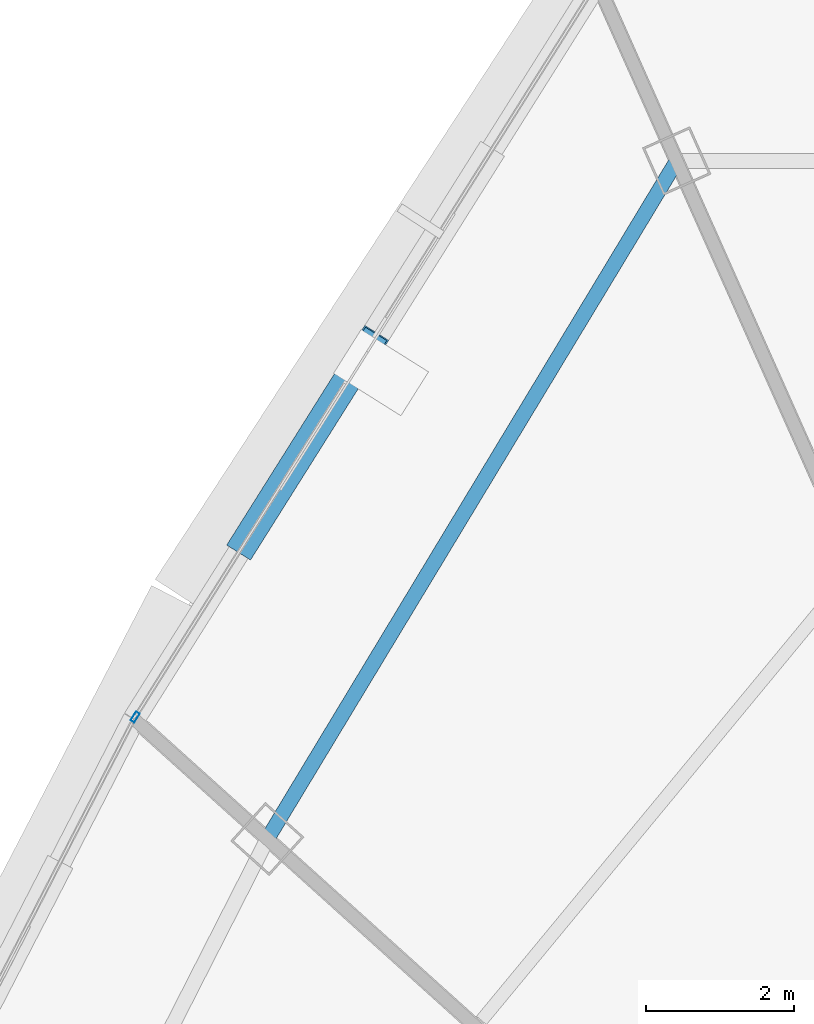
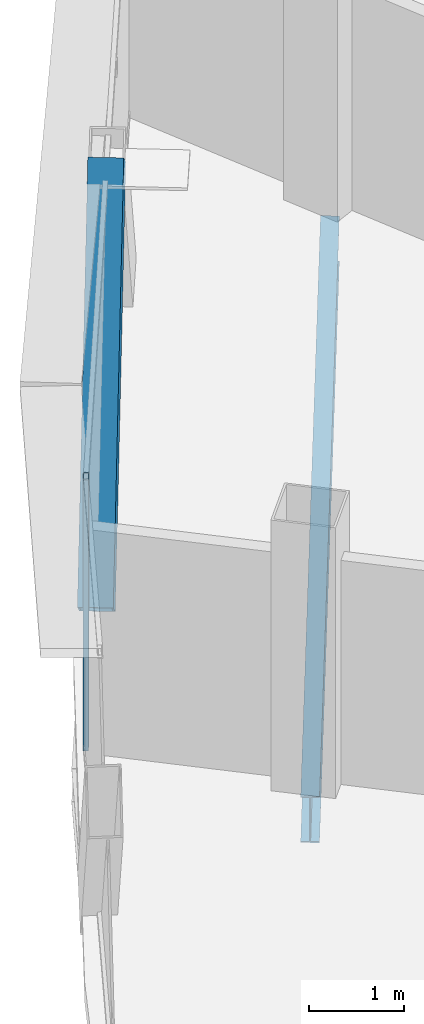
# One storey, part 9 of 30: 2 members, 1 beam, 1 element without a shape of its own.
"""IFC4 building model written with IfcOpenShell, lengths in metres."""

import ifcopenshell
import ifcopenshell.guid

model = None  # the IFC model being written
_history = None  # IfcOwnerHistory: only IFC2X3 demands one
_inside = {}  # id of a spatial element -> (the spatial element, [elements in it])
_under = {}  # id of a project, library or spatial element -> (it, [spatial elements below it])
_declared = {}  # id of a project -> (the project, [libraries it declares])
_typed = {}  # id of a type object -> (the type object, [elements of that type])
_made_of = {}  # id of a material, layer set ... -> (it, [elements and type objects made of it])


def new_model(schema):
    """Start an empty IFC model of exactly this schema.

    Asked for "IFC4X3", IfcOpenShell would pick the latest addendum, in which some entities
    have other attributes; the version numbers below select the first issue.
    IFC2X3 requires an IfcOwnerHistory on every rooted entity: one is made here for all.
    """
    global model, _history
    if schema == "IFC4X3":
        model = ifcopenshell.file(schema_version=(4, 3, 0, 0))
    else:
        model = ifcopenshell.file(schema=schema)
    _inside.clear()
    _under.clear()
    _declared.clear()
    _typed.clear()
    _made_of.clear()
    _history = None
    if model.schema == "IFC2X3":
        org = make("IfcOrganization", Name="unknown")
        user = make(
            "IfcPersonAndOrganization",
            ThePerson=make("IfcPerson", FamilyName="unknown"),
            TheOrganization=org,
        )
        app = make(
            "IfcApplication",
            ApplicationDeveloper=org,
            Version="unknown",
            ApplicationFullName="unknown",
            ApplicationIdentifier="unknown",
        )
        _history = make(
            "IfcOwnerHistory",
            OwningUser=user,
            OwningApplication=app,
            ChangeAction="ADDED",
            CreationDate=0,
        )
    return model


def make(cls, **values):
    """One entity of the class cls with the attributes given. An attribute that is None is left unset."""
    return model.create_entity(
        cls, **{name: value for name, value in values.items() if value is not None}
    )


def rooted(cls, **values):
    """An entity with a GlobalId (a new one), such as an element, a storey or a relation."""
    return make(cls, GlobalId=ifcopenshell.guid.new(), OwnerHistory=_history, **values)


def si_unit(unit_type, name, prefix=None):
    """IfcSIUnit, for example si_unit("LENGTHUNIT", "METRE", prefix="MILLI")."""
    return make("IfcSIUnit", UnitType=unit_type, Prefix=prefix, Name=name)


def assignment(units):
    """IfcUnitAssignment: the units of a project."""
    return None if units is None else make("IfcUnitAssignment", Units=units)


def point(xyz):
    """IfcCartesianPoint."""
    return None if xyz is None else make("IfcCartesianPoint", Coordinates=xyz)


def direction(xyz):
    """IfcDirection."""
    return None if xyz is None else make("IfcDirection", DirectionRatios=xyz)


def frame(location, z_axis=None, x_axis=None):
    """IfcAxis2Placement3D, a coordinate frame: its origin and axes. An axis left out is left unset."""
    return make(
        "IfcAxis2Placement3D",
        Location=point(location),
        Axis=direction(z_axis),
        RefDirection=direction(x_axis),
    )


def frame_2d(location, x_axis=None):
    """IfcAxis2Placement2D, a coordinate frame in the plane: its origin and x axis."""
    return make(
        "IfcAxis2Placement2D", Location=point(location), RefDirection=direction(x_axis)
    )


def origin():
    """The frame at (0, 0, 0) with its axes left unset."""
    return frame((0.0, 0.0, 0.0))


def origin_2d():
    """The frame at (0, 0) in the plane with its x axis left unset."""
    return frame_2d((0.0, 0.0))


def place(relative_to, where):
    """IfcLocalPlacement: puts the frame where relative to a parent placement (None: the world)."""
    return make(
        "IfcLocalPlacement", PlacementRelTo=relative_to, RelativePlacement=where
    )


def context(
    kind, dimensions, precision=None, world=None, true_north=None, identifier=None
):
    """IfcGeometricRepresentationContext, for example the 3D "Model" context."""
    return make(
        "IfcGeometricRepresentationContext",
        ContextIdentifier=identifier,
        ContextType=kind,
        CoordinateSpaceDimension=dimensions,
        Precision=precision,
        WorldCoordinateSystem=world,
        TrueNorth=true_north,
    )


def subcontext(parent, identifier, kind, view, scale=None):
    """IfcGeometricRepresentationSubContext, for example "Body" below "Model"."""
    return make(
        "IfcGeometricRepresentationSubContext",
        ContextIdentifier=identifier,
        ContextType=kind,
        ParentContext=parent,
        TargetScale=scale,
        TargetView=view,
    )


def project(units=None, contexts=None):
    """IfcProject with its units and contexts."""
    return rooted(
        "IfcProject",
        Name="project",
        RepresentationContexts=contexts,
        UnitsInContext=assignment(units),
    )


def spatial(cls, under=None, at=None, **own):
    """A site, building, storey or space (cls), placed at a placement, below another one or the project."""
    s = rooted(cls, ObjectPlacement=at, **own)
    if under is not None:
        _under.setdefault(under.id(), (under, []))[1].append(s)
    return s


def profile(cls, at=None, kind="AREA", **sizes):
    """A parametric profile (cls). Its sizes go by their IFC names, for example OverallWidth=200.0."""
    return make(cls, ProfileType=kind, Position=at, **sizes)


def hollow_rectangle(**sizes):
    """IfcRectangleHollowProfileDef."""
    return profile("IfcRectangleHollowProfileDef", **sizes)


def i_section(**sizes):
    """IfcIShapeProfileDef."""
    return profile("IfcIShapeProfileDef", **sizes)


def extrude(swept, where, along, depth):
    """IfcExtrudedAreaSolid: the profile swept, set in the frame where, extruded along a direction by depth."""
    return make(
        "IfcExtrudedAreaSolid",
        SweptArea=swept,
        Position=where,
        ExtrudedDirection=direction(along),
        Depth=depth,
    )


def shape(context_of_items, identifier, shape_type, items):
    """IfcShapeRepresentation: the items that make up one representation, for example the "Body"."""
    return make(
        "IfcShapeRepresentation",
        ContextOfItems=context_of_items,
        RepresentationIdentifier=identifier,
        RepresentationType=shape_type,
        Items=items,
    )


def source(mapping_origin, context_of_items, identifier, shape_type, items):
    """IfcRepresentationMap: a shape defined once, which mapped items show again and again."""
    return make(
        "IfcRepresentationMap",
        MappingOrigin=mapping_origin,
        MappedRepresentation=shape(context_of_items, identifier, shape_type, items),
    )


def transform(
    local_origin,
    x_axis=None,
    y_axis=None,
    z_axis=None,
    scale=None,
    scale2=None,
    scale3=None,
    uniform=True,
):
    """IfcCartesianTransformationOperator3D, or its non-uniform kind. x_axis, y_axis, z_axis: its Axis1, 2, 3."""
    if uniform:
        return make(
            "IfcCartesianTransformationOperator3D",
            Axis1=direction(x_axis),
            Axis2=direction(y_axis),
            LocalOrigin=point(local_origin),
            Scale=scale,
            Axis3=direction(z_axis),
        )
    return make(
        "IfcCartesianTransformationOperator3DnonUniform",
        Axis1=direction(x_axis),
        Axis2=direction(y_axis),
        LocalOrigin=point(local_origin),
        Scale=scale,
        Axis3=direction(z_axis),
        Scale2=scale2,
        Scale3=scale3,
    )


def mapped(mapping_source, mapping_target):
    """IfcMappedItem: shows the shape of a source again, moved by a transform."""
    return make(
        "IfcMappedItem", MappingSource=mapping_source, MappingTarget=mapping_target
    )


def material(Name=None, Category=None):
    """IfcMaterial."""
    return make("IfcMaterial", Name=Name, Category=Category)


def layer(
    of_material, thickness, ventilated=None, Name=None, Category=None, Priority=None
):
    """IfcMaterialLayer: one layer of a wall or slab, of a material (None: an air gap)."""
    return make(
        "IfcMaterialLayer",
        Material=of_material,
        LayerThickness=thickness,
        IsVentilated=ventilated,
        Name=Name,
        Category=Category,
        Priority=Priority,
    )


def layer_set(layers, Name=None):
    """IfcMaterialLayerSet."""
    return make("IfcMaterialLayerSet", MaterialLayers=layers, LayerSetName=Name)


def material_profile(
    of_material, cross_section, Name=None, Category=None, Priority=None
):
    """IfcMaterialProfile: a cross section and its material."""
    return make(
        "IfcMaterialProfile",
        Name=Name,
        Material=of_material,
        Profile=cross_section,
        Priority=Priority,
        Category=Category,
    )


def profile_set(profiles, Name=None, composite=None):
    """IfcMaterialProfileSet."""
    return make(
        "IfcMaterialProfileSet",
        Name=Name,
        MaterialProfiles=profiles,
        CompositeProfile=composite,
    )


def made_of(thing, what):
    """Note that an element or type object is made of a material, layer set ...; save() writes the relation."""
    if what is not None:
        _made_of.setdefault(what.id(), (what, []))[1].append(thing)
    return thing


def type_object(cls, material=None, **own):
    """A type object (cls), such as IfcWallType, which elements share."""
    return made_of(rooted(cls, **own), material)


def element(
    cls,
    number,
    at=None,
    inside=None,
    cuts=None,
    type_object=None,
    material=None,
    context=None,
    identifier="Body",
    shape_type=None,
    held_by="IfcProductDefinitionShape",
    body=None,
    shapes=None,
    **own,
):
    """One element of the class cls, such as IfcWall. Its Tag is "e" and its number.

    at: its placement. inside: the storey or other place that contains it. cuts: it is an
    opening in that element (IfcRelVoidsElement). A single representation is given by context,
    identifier, shape_type and body (its items); several are given by shapes. held_by: the class
    of the entity that holds the representations. save() writes the other relations.
    """
    e = rooted(cls, Tag="e%d" % number, ObjectPlacement=at, **own)
    if body is not None:
        shapes = [shape(context, identifier, shape_type, body)]
    if shapes is not None:
        e.Representation = make(held_by, Representations=shapes)
    if inside is not None:
        _inside.setdefault(inside.id(), (inside, []))[1].append(e)
    if cuts is not None:
        rooted(
            "IfcRelVoidsElement", RelatingBuildingElement=cuts, RelatedOpeningElement=e
        )
    if type_object is not None:
        _typed.setdefault(type_object.id(), (type_object, []))[1].append(e)
    return made_of(e, material)


def aggregate(whole, parts):
    """IfcRelAggregates: a whole, such as a stair, and the parts it consists of."""
    return rooted("IfcRelAggregates", RelatingObject=whole, RelatedObjects=parts)


def save(model, path):
    """Write the relations noted so far, then the file.

    IfcRelAggregates (storeys below a building ...), IfcRelContainedInSpatialStructure (elements
    in a storey), IfcRelDefinesByType, IfcRelAssociatesMaterial and IfcRelDeclares: one each for
    every whole, place, type object, material and project.
    """
    for whole, parts in _under.values():
        aggregate(whole, parts)
    for where, things in _inside.values():
        rooted(
            "IfcRelContainedInSpatialStructure",
            RelatedElements=things,
            RelatingStructure=where,
        )
    for kind, things in _typed.values():
        rooted("IfcRelDefinesByType", RelatedObjects=things, RelatingType=kind)
    for what, things in _made_of.values():
        rooted("IfcRelAssociatesMaterial", RelatedObjects=things, RelatingMaterial=what)
    for by, libraries in _declared.values():
        rooted("IfcRelDeclares", RelatingContext=by, RelatedDefinitions=libraries)
    model.write(path)


model = new_model("IFC4")

# Units and contexts
model_context = context("Model", 3, precision=1e-05, world=origin(), true_north=direction((0.0, 1.0)))
body_context = subcontext(model_context, "Body", "Model", "MODEL_VIEW")
ifc_project = project(units=[si_unit("LENGTHUNIT", "METRE"), si_unit("AREAUNIT", "SQUARE_METRE"), si_unit("VOLUMEUNIT", "CUBIC_METRE"), si_unit("PLANEANGLEUNIT", "RADIAN"), si_unit("MASSUNIT", "GRAM", prefix="KILO"), si_unit("THERMODYNAMICTEMPERATUREUNIT", "KELVIN"), si_unit("POWERUNIT", "WATT")], contexts=[model_context])

# Site, building, storey
site_placement = place(None, origin())
site = spatial("IfcSite", under=ifc_project, at=site_placement, CompositionType="ELEMENT")
building_placement = place(site_placement, origin())
building = spatial("IfcBuilding", under=site, at=building_placement, Name="Yunzhuo Pagoda Commons", CompositionType="ELEMENT")
storey_placement = place(building_placement, frame((0.0, 0.0, 355.510009765625)))
storey = spatial("IfcBuildingStorey", under=building, at=storey_placement, Name="L89", CompositionType="ELEMENT", Elevation=355.510009765625)

# Beam
ifc_material_1 = material(Name="Structural steel Q355B", Category="steel")
ifc_material_profile_1 = material_profile(ifc_material_1, i_section(OverallWidth=0.199951171875, OverallDepth=0.60009765625, WebThickness=0.010986328125, FlangeThickness=0.01708984375, at=origin_2d()), Name="Structural steel Q355B")
ifc_profile_set_1 = profile_set([ifc_material_profile_1], Name="Structural steel Q355B")
beam_type = type_object("IfcBeamType", Name="B-RG3 Beam HN 600x200x11x17", PredefinedType="BEAM", material=ifc_profile_set_1)
shared_shape_1 = source(origin(), body_context, "Body", "SweptSolid", [
    extrude(i_section(OverallWidth=0.199951171875, OverallDepth=0.60009765625, WebThickness=0.010986328125, FlangeThickness=0.01708984375, at=origin_2d()), origin(), (0.0, 0.0, 1.0), 10.691162109375),
])
beam_placement = place(storey_placement, frame((37.501220703125, 57.281005859375, -0.56005859375), z_axis=(-0.516864678433, -0.856067114301, 0.0), x_axis=(0.856067114301, -0.516864678433, 0.0)))
element("IfcBeam", 1, at=beam_placement, inside=storey, type_object=beam_type, Name="L89 column-ring beam 9", PredefinedType="BEAM", context=body_context, shape_type="MappedRepresentation", body=[
    mapped(shared_shape_1, transform((0.0, 0.0, 0.0), scale=1.0)),
])

# Member
ifc_material_profile_2 = material_profile(ifc_material_1, hollow_rectangle(XDim=0.3798828125, YDim=0.719970703125, WallThickness=0.02001953125, at=origin_2d()), Name="Structural steel Q355B")
ifc_profile_set_2 = profile_set([ifc_material_profile_2], Name="Structural steel Q355B")
member_type_1 = type_object("IfcMemberType", Name="M-DL3 Brace BOX 720x380x20", PredefinedType="BRACE", material=ifc_profile_set_2)
shared_shape_2 = source(origin(), body_context, "Body", "SweptSolid", [
    extrude(hollow_rectangle(XDim=0.3798828125, YDim=0.719970703125, WallThickness=0.02001953125, at=origin_2d()), origin(), (0.0, 0.0, 1.0), 4.7626953125),
])
member_1_placement = place(storey_placement, frame((31.738525390625, 52.23486328125, -0.260009765625), z_axis=(0.328170512909, 0.521884409861, 0.787363179988), x_axis=(-0.846542342318, 0.532321390386, 0.0)))
element("IfcMember", 2, at=member_1_placement, inside=storey, type_object=member_type_1, Name="L89 facade diamond brace F3.1R", PredefinedType="BRACE", context=body_context, shape_type="MappedRepresentation", body=[
    mapped(shared_shape_2, transform((0.0, 0.0, 0.0), scale=1.0)),
])

# Curtain wall, member
ifc_material_2 = material(Name="Anodized aluminium 6063-T6", Category="aluminium")
ifc_layer = layer(ifc_material_2, 0.139892578125)
ifc_layer_set = layer_set([ifc_layer], Name="Anodized aluminium 6063-T6")
curtain_wall_type = type_object("IfcCurtainWallType", Name="CW-HI High-Zone Ribbon Curtain Wall", PredefinedType="NOTDEFINED", material=ifc_layer_set)
curtain_wall_placement = place(storey_placement, origin())
curtain_wall = element("IfcCurtainWall", 3, at=curtain_wall_placement, inside=storey, type_object=curtain_wall_type, Name="L89 curtain wall CW-L89-F3B2", PredefinedType="NOTDEFINED")
ifc_material_profile_3 = material_profile(ifc_material_2, hollow_rectangle(XDim=0.06005859375, YDim=0.139892578125, WallThickness=0.00341796875, at=origin_2d()), Name="Anodized aluminium 6063-T6")
ifc_profile_set_3 = profile_set([ifc_material_profile_3], Name="Anodized aluminium 6063-T6")
member_type_2 = type_object("IfcMemberType", Name="CW-HI-M Mullion RHS 140x60x3.5", PredefinedType="MULLION", material=ifc_profile_set_3)
shared_shape_3 = source(origin(), body_context, "Body", "SweptSolid", [
    extrude(hollow_rectangle(XDim=0.06005859375, YDim=0.139892578125, WallThickness=0.00341796875, at=origin_2d()), origin(), (0.0, 0.0, 1.0), 3.489990234375),
])
member_2_placement = place(storey_placement, frame((30.19140625, 49.774658203125, 0.0), z_axis=(0.0, 0.0, 1.0), x_axis=(0.846524621891, -0.532349569861, 0.0)))
member_2 = element("IfcMember", 4, at=member_2_placement, type_object=member_type_2, Name="CW mullion 2", PredefinedType="MULLION", context=body_context, shape_type="MappedRepresentation", body=[
    mapped(shared_shape_3, transform((0.0, 0.0, 0.0), scale=1.0)),
])
aggregate(curtain_wall, [member_2])

save(model, "model.ifc")
